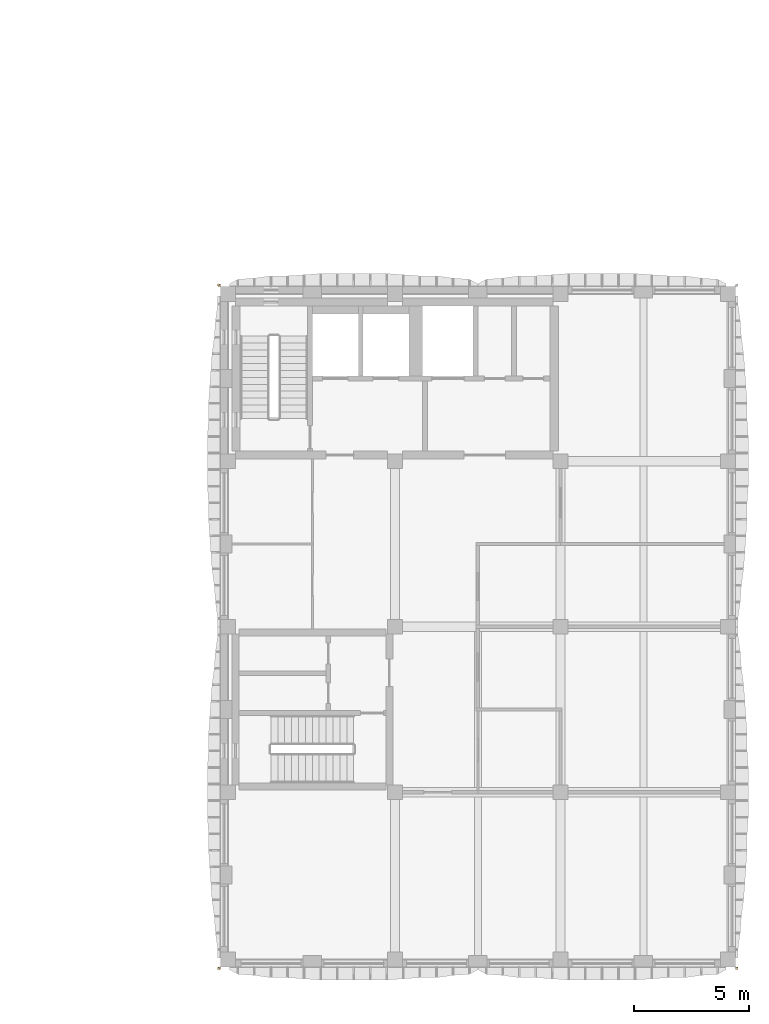
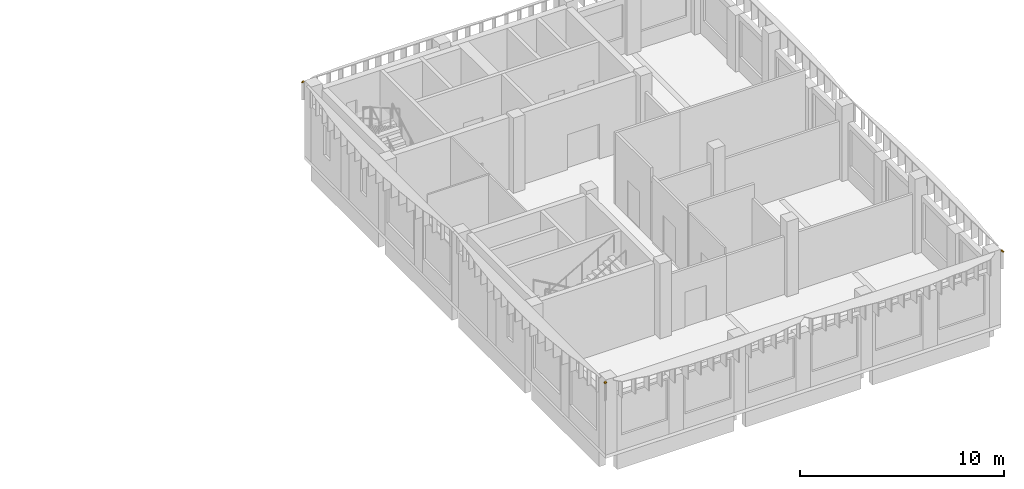
# One storey, part 23 of 24: 3 shading devices.
"""IFC4 building model written with IfcOpenShell, lengths in metres."""

from ifc_helpers import new_model, si_unit, direction, frame, origin, place, context, subcontext, project, spatial, polyline, outline, extrude, material, layer, layer_set, type_object, element, save


model = new_model("IFC4")

# Units and contexts
model_context = context("Model", 3, precision=1e-05, world=origin(), true_north=direction((0.0, 1.0)))
body_context = subcontext(model_context, "Body", "Model", "MODEL_VIEW")
ifc_project = project(units=[si_unit("LENGTHUNIT", "METRE"), si_unit("AREAUNIT", "SQUARE_METRE"), si_unit("VOLUMEUNIT", "CUBIC_METRE"), si_unit("PLANEANGLEUNIT", "RADIAN"), si_unit("MASSUNIT", "GRAM", prefix="KILO")], contexts=[model_context])

# Site, building, storey
site_placement = place(None, origin())
site = spatial("IfcSite", under=ifc_project, at=site_placement, CompositionType="ELEMENT")
building_placement = place(site_placement, origin())
building = spatial("IfcBuilding", under=site, at=building_placement, Name="Ussher Court Research Institute", CompositionType="ELEMENT")
storey_placement = place(building_placement, frame((0.0, 0.0, 32.39990234375)))
storey = spatial("IfcBuildingStorey", under=building, at=storey_placement, Name="L07", CompositionType="ELEMENT", Elevation=32.39990234375)

# Shading devices
ifc_material = material(Name="Bronze anodised aluminium", Category="aluminium")
ifc_layer = layer(ifc_material, 0.0400390625)
ifc_layer_set = layer_set([ifc_layer], Name="Bronze anodised aluminium")
shading_device_type = type_object("IfcShadingDeviceType", Name="Brim visor sheet 40 mm canted 26 deg wet", PredefinedType="USERDEFINED", material=ifc_layer_set)
for number, where, z_axis, x_axis, name in (
    (1, (81.783935546875, 33.216064453125, 4.48291015625), (-0.400847757571, 0.400847757571, 0.823797396512), (0.000362285341, 0.899269394429, -0.437395044544), "Brim visor sheet BR1 L07"),
    (2, (104.216064453125, 3.583984375, 4.48291015625), (0.400847757571, -0.400847757571, 0.823797396512), (-0.000362285341, -0.899269394429, -0.437395044544), "Brim visor sheet BR1 L07"),
    (3, (81.783935546875, 3.583984375, 4.48291015625), (-0.400847757571, -0.400847757571, 0.823797396512), (-0.899269394429, 0.000362285341, -0.437395044544), "Brim visor sheet BR1 L07"),
):
    element("IfcShadingDevice", number, at=place(storey_placement, frame(where, z_axis=z_axis, x_axis=x_axis)), inside=storey, type_object=shading_device_type, Name=name, ObjectType="BRIM", PredefinedType="USERDEFINED", context=body_context, shape_type="SweptSolid", body=[
        extrude(outline(polyline([(0.0, 0.0), (0.11126515272958254, 0.0), (0.13258606872546647, 0.10931209908468126), (0.021214130096336967, 0.10922405822982874), (0.0, 0.0)])), origin(), (0.0, 0.0, -1.0), 0.0400390625),
    ])

save(model, "model.ifc")
